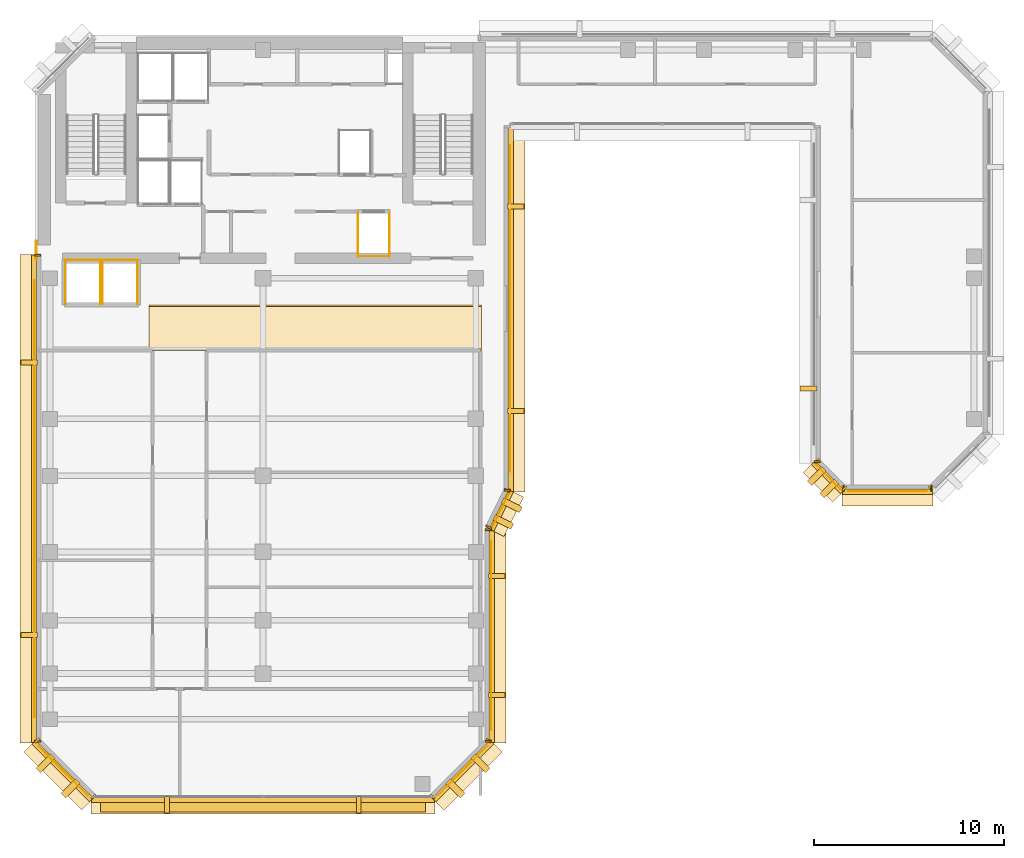
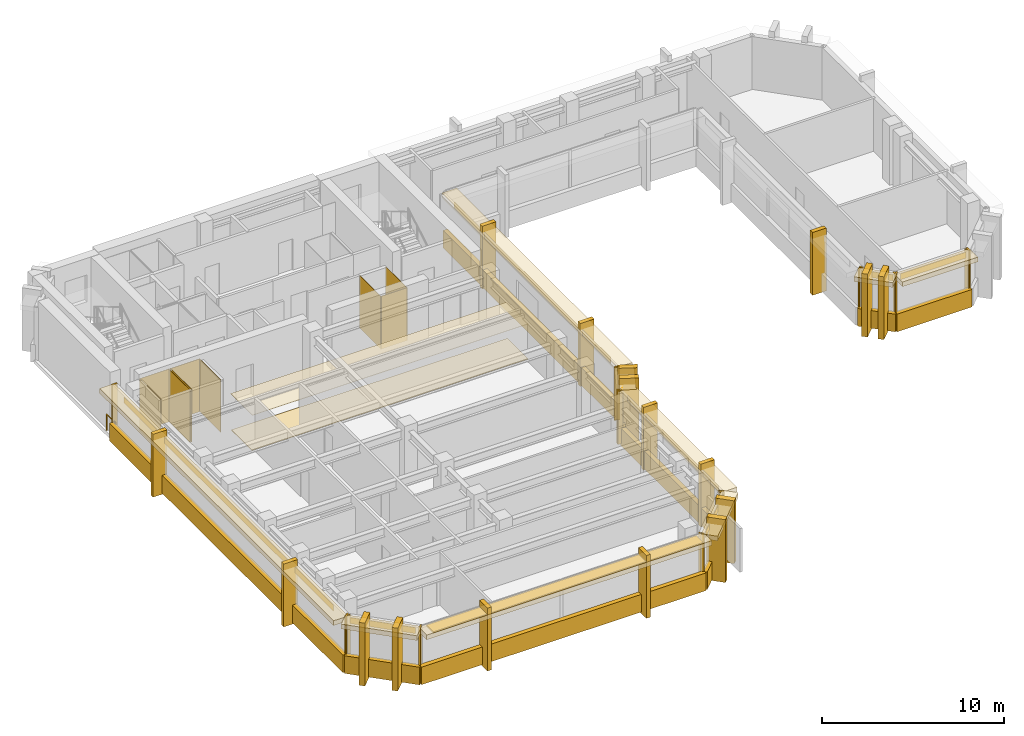
# One storey, part 8 of 11: 71 coverings, 1 railing, 1 shading device.
"""IFC4 building model written with IfcOpenShell, lengths in metres."""

from ifc_helpers import new_model, si_unit, direction, frame, origin, origin_2d, place, context, subcontext, project, spatial, polyline, rectangle, circle, outline, extrude, material, layer, layer_set, type_object, element, save


model = new_model("IFC4")

# Units and contexts
model_context = context("Model", 3, precision=1e-05, world=origin(), true_north=direction((0.0, 1.0)))
body_context = subcontext(model_context, "Body", "Model", "MODEL_VIEW")
ifc_project = project(units=[si_unit("LENGTHUNIT", "METRE"), si_unit("AREAUNIT", "SQUARE_METRE"), si_unit("VOLUMEUNIT", "CUBIC_METRE"), si_unit("PLANEANGLEUNIT", "RADIAN"), si_unit("MASSUNIT", "GRAM", prefix="KILO")], contexts=[model_context])

# Site, building, storey
site_placement = place(None, origin())
site = spatial("IfcSite", under=ifc_project, at=site_placement, CompositionType="ELEMENT")
building_placement = place(site_placement, origin())
building = spatial("IfcBuilding", under=site, at=building_placement, Name="Kefirva Bronze Tower", CompositionType="ELEMENT")
storey_placement = place(building_placement, frame((0.0, 0.0, 247.5)))
storey = spatial("IfcBuildingStorey", under=building, at=storey_placement, Name="L60", CompositionType="ELEMENT", Elevation=247.5)

# Coverings
ifc_material_1 = material(Name="Acoustic mineral tile")
ifc_layer_1 = layer(ifc_material_1, 0.02490234375, Name="Acoustic mineral tile")
ifc_layer_set_1 = layer_set([ifc_layer_1], Name="Acoustic mineral tile")
covering_type_1 = type_object("IfcCoveringType", Name="Acoustic Mineral Suspended Ceiling 25mm", PredefinedType="CEILING", material=ifc_layer_set_1)
covering_1_placement = place(storey_placement, frame((0.0, 0.0, 2.39990234375)))
element("IfcCovering", 1, at=covering_1_placement, inside=storey, type_object=covering_type_1, Name="L60 Corridor Acoustic Ceiling", PredefinedType="CEILING", context=body_context, shape_type="SweptSolid", body=[
    extrude(outline(polyline([(6.0, 29.39990234375), (23.5, 29.39990234375), (23.5, 31.800048828125), (6.0, 31.800048828125), (6.0, 29.39990234375)])), origin(), (0.0, 0.0, 1.0), 0.025146484375),
])
ifc_material_2 = material(Name="Bronze anodised aluminium", Category="aluminium")
ifc_layer_2 = layer(ifc_material_2, 0.02001953125, Name="Bronze anodised aluminium")
ifc_layer_set_2 = layer_set([ifc_layer_2], Name="Bronze anodised aluminium")
covering_type_2 = type_object("IfcCoveringType", Name="Anodised Bronze Spandrel Cladding 20mm", PredefinedType="CLADDING", material=ifc_layer_set_2)
covering_2_placement = place(storey_placement, frame((12.0, 5.760009765625, -0.16015625), z_axis=(0.0, 0.0, 1.0), x_axis=(1.0, 0.0, 0.0)))
element("IfcCovering", 2, at=covering_2_placement, inside=storey, type_object=covering_type_2, Name="L60 Streamline Horizontal Spandrel Band 0", PredefinedType="CLADDING", context=body_context, shape_type="SweptSolid", body=[
    extrude(rectangle(XDim=18.0400390625, YDim=0.280029296875, at=origin_2d()), origin(), (0.0, 0.0, 1.0), 1.179931640625),
])
covering_3_placement = place(storey_placement, frame((22.507080078125, 7.29296875, 3.1201171875), z_axis=(0.0, 0.0, 1.0), x_axis=(0.707106781187, 0.707106781187, 0.0)))
element("IfcCovering", 3, at=covering_3_placement, inside=storey, type_object=covering_type_2, Name="L60 Bronze Spandrel Cladding 1", PredefinedType="CLADDING", context=body_context, shape_type="SweptSolid", body=[
    extrude(rectangle(XDim=3.719482421875, YDim=0.02001953125, at=origin_2d()), origin(), (0.0, 0.0, 1.0), 0.39990234375),
])
for number, where, z_axis, x_axis, name in (
    (4, (20.91162109375, 5.93798828125, 0.0), (0.0, 0.0, 1.0), (0.707106781187, 0.707106781187, 0.0), "L60 Facade Joint Closure Panel 1S"),
    (5, (23.862060546875, 8.88818359375, 0.0), (0.0, 0.0, 1.0), (0.707106781187, 0.707106781187, 0.0), "L60 Facade Joint Closure Panel 1E"),
):
    element("IfcCovering", number, at=place(storey_placement, frame(where, z_axis=z_axis, x_axis=x_axis)), inside=storey, type_object=covering_type_2, Name=name, PredefinedType="CLADDING", context=body_context, shape_type="SweptSolid", body=[
        extrude(rectangle(XDim=0.10009765625, YDim=0.320068359375, at=origin_2d()), origin(), (0.0, 0.0, 1.0), 3.5400390625),
    ])
covering_4_placement = place(storey_placement, frame((22.5283203125, 7.271728515625, -0.16015625), z_axis=(0.0, 0.0, 1.0), x_axis=(0.707106781187, 0.707106781187, 0.0)))
element("IfcCovering", 6, at=covering_4_placement, inside=storey, type_object=covering_type_2, Name="L60 Streamline Horizontal Spandrel Band 1", PredefinedType="CLADDING", context=body_context, shape_type="SweptSolid", body=[
    extrude(rectangle(XDim=4.28271484375, YDim=0.280029296875, at=origin_2d()), origin(), (0.0, 0.0, 1.0), 1.179931640625),
])
covering_5_placement = place(storey_placement, frame((24.010009765625, 14.39990234375, 3.1201171875), z_axis=(0.0, 0.0, 1.0), x_axis=(0.0, 1.0, 0.0)))
element("IfcCovering", 7, at=covering_5_placement, inside=storey, type_object=covering_type_2, Name="L60 Bronze Spandrel Cladding 2", PredefinedType="CLADDING", context=body_context, shape_type="SweptSolid", body=[
    extrude(rectangle(XDim=9.98095703125, YDim=0.02001953125, at=origin_2d()), origin(), (0.0, 0.0, 1.0), 0.39990234375),
])
for number, where, z_axis, x_axis, name in (
    (8, (23.840087890625, 8.8349609375, 0.0), (0.0, 0.0, 1.0), (0.0, 1.0, 0.0), "L60 Facade Joint Closure Panel 2S"),
    (9, (23.840087890625, 19.965087890625, 0.0), (0.0, 0.0, 1.0), (0.0, 1.0, 0.0), "L60 Facade Joint Closure Panel 2E"),
):
    element("IfcCovering", number, at=place(storey_placement, frame(where, z_axis=z_axis, x_axis=x_axis)), inside=storey, type_object=covering_type_2, Name=name, PredefinedType="CLADDING", context=body_context, shape_type="SweptSolid", body=[
        extrude(rectangle(XDim=0.10009765625, YDim=0.320068359375, at=origin_2d()), origin(), (0.0, 0.0, 1.0), 3.5400390625),
    ])
covering_6_placement = place(storey_placement, frame((24.0400390625, 14.39990234375, -0.16015625), z_axis=(0.0, 0.0, 1.0), x_axis=(0.0, 1.0, 0.0)))
element("IfcCovering", 10, at=covering_6_placement, inside=storey, type_object=covering_type_2, Name="L60 Streamline Horizontal Spandrel Band 2", PredefinedType="CLADDING", context=body_context, shape_type="SweptSolid", body=[
    extrude(rectangle(XDim=11.239990234375, YDim=0.280029296875, at=origin_2d()), origin(), (0.0, 0.0, 1.0), 1.179931640625),
])
covering_7_placement = place(storey_placement, frame((24.5087890625, 20.99560546875, 3.1201171875), z_axis=(0.0, 0.0, 1.0), x_axis=(0.44721435766, 0.89442680992, 0.0)))
element("IfcCovering", 11, at=covering_7_placement, inside=storey, type_object=covering_type_2, Name="L60 Bronze Spandrel Cladding 3", PredefinedType="CLADDING", context=body_context, shape_type="SweptSolid", body=[
    extrude(rectangle(XDim=1.91357421875, YDim=0.02001953125, at=origin_2d()), origin(), (0.0, 0.0, 1.0), 0.39990234375),
])
for number, where, z_axis, x_axis, name in (
    (12, (23.87255859375, 20.102783203125, 0.0), (0.0, 0.0, 1.0), (0.44721435766, 0.89442680992, 0.0), "L60 Facade Joint Closure Panel 3S"),
    (13, (24.84130859375, 22.040283203125, 0.0), (0.0, 0.0, 1.0), (0.44721435766, 0.89442680992, 0.0), "L60 Facade Joint Closure Panel 3E"),
):
    element("IfcCovering", number, at=place(storey_placement, frame(where, z_axis=z_axis, x_axis=x_axis)), inside=storey, type_object=covering_type_2, Name=name, PredefinedType="CLADDING", context=body_context, shape_type="SweptSolid", body=[
        extrude(rectangle(XDim=0.10009765625, YDim=0.320068359375, at=origin_2d()), origin(), (0.0, 0.0, 1.0), 3.5400390625),
    ])
covering_8_placement = place(storey_placement, frame((24.535888671875, 20.982177734375, -0.16015625), z_axis=(0.0, 0.0, 1.0), x_axis=(0.44721435766, 0.89442680992, 0.0)))
element("IfcCovering", 14, at=covering_8_placement, inside=storey, type_object=covering_type_2, Name="L60 Streamline Horizontal Spandrel Band 3", PredefinedType="CLADDING", context=body_context, shape_type="SweptSolid", body=[
    extrude(rectangle(XDim=2.276123046875, YDim=0.280029296875, at=origin_2d()), origin(), (0.0, 0.0, 1.0), 1.179931640625),
])
covering_9_placement = place(storey_placement, frame((25.010009765625, 31.60009765625, 3.1201171875), z_axis=(0.0, 0.0, 1.0), x_axis=(0.0, 1.0, 0.0)))
element("IfcCovering", 15, at=covering_9_placement, inside=storey, type_object=covering_type_2, Name="L60 Bronze Spandrel Cladding 4", PredefinedType="CLADDING", context=body_context, shape_type="SweptSolid", body=[
    extrude(rectangle(XDim=17.180908203125, YDim=0.02001953125, at=origin_2d()), origin(), (0.0, 0.0, 1.0), 0.39990234375),
])
covering_10_placement = place(storey_placement, frame((24.840087890625, 22.034912109375, 0.0), z_axis=(0.0, 0.0, 1.0), x_axis=(0.0, 1.0, 0.0)))
element("IfcCovering", 16, at=covering_10_placement, inside=storey, type_object=covering_type_2, Name="L60 Facade Joint Closure Panel 4S", PredefinedType="CLADDING", context=body_context, shape_type="SweptSolid", body=[
    extrude(rectangle(XDim=0.10009765625, YDim=0.320068359375, at=origin_2d()), origin(), (0.0, 0.0, 1.0), 3.5400390625),
])
covering_11_placement = place(storey_placement, frame((25.0400390625, 31.60009765625, -0.16015625), z_axis=(0.0, 0.0, 1.0), x_axis=(0.0, 1.0, 0.0)))
element("IfcCovering", 17, at=covering_11_placement, inside=storey, type_object=covering_type_2, Name="L60 Streamline Horizontal Spandrel Band 5", PredefinedType="CLADDING", context=body_context, shape_type="SweptSolid", body=[
    extrude(rectangle(XDim=19.239990234375, YDim=0.280029296875, at=origin_2d()), origin(), (0.0, 0.0, 1.0), 1.179931640625),
])
covering_12_placement = place(storey_placement, frame((41.159912109375, 23.534912109375, 0.0), z_axis=(0.0, 0.0, 1.0), x_axis=(0.0, -1.0, 0.0)))
element("IfcCovering", 18, at=covering_12_placement, inside=storey, type_object=covering_type_2, Name="L60 Facade Joint Closure Panel 5E", PredefinedType="CLADDING", context=body_context, shape_type="SweptSolid", body=[
    extrude(rectangle(XDim=0.10009765625, YDim=0.320068359375, at=origin_2d()), origin(), (0.0, 0.0, 1.0), 3.5400390625),
])
covering_13_placement = place(storey_placement, frame((41.742919921875, 22.742919921875, 3.1201171875), z_axis=(0.0, 0.0, 1.0), x_axis=(0.707106781187, -0.707106781187, 0.0)))
element("IfcCovering", 19, at=covering_13_placement, inside=storey, type_object=covering_type_2, Name="L60 Bronze Spandrel Cladding 6", PredefinedType="CLADDING", context=body_context, shape_type="SweptSolid", body=[
    extrude(rectangle(XDim=1.810302734375, YDim=0.02001953125, at=origin_2d()), origin(), (0.0, 0.0, 1.0), 0.39990234375),
])
for number, where, z_axis, x_axis, name in (
    (20, (41.137939453125, 23.58837890625, 0.0), (0.0, 0.0, 1.0), (0.707106781187, -0.707106781187, 0.0), "L60 Facade Joint Closure Panel 6S"),
    (21, (42.58837890625, 22.137939453125, 0.0), (0.0, 0.0, 1.0), (0.707106781187, -0.707106781187, 0.0), "L60 Facade Joint Closure Panel 6E"),
):
    element("IfcCovering", number, at=place(storey_placement, frame(where, z_axis=z_axis, x_axis=x_axis)), inside=storey, type_object=covering_type_2, Name=name, PredefinedType="CLADDING", context=body_context, shape_type="SweptSolid", body=[
        extrude(rectangle(XDim=0.10009765625, YDim=0.320068359375, at=origin_2d()), origin(), (0.0, 0.0, 1.0), 3.5400390625),
    ])
covering_14_placement = place(storey_placement, frame((41.7216796875, 22.7216796875, -0.16015625), z_axis=(0.0, 0.0, 1.0), x_axis=(0.707106781187, -0.707106781187, 0.0)))
element("IfcCovering", 22, at=covering_14_placement, inside=storey, type_object=covering_type_2, Name="L60 Streamline Horizontal Spandrel Band 8", PredefinedType="CLADDING", context=body_context, shape_type="SweptSolid", body=[
    extrude(rectangle(XDim=2.161376953125, YDim=0.280029296875, at=origin_2d()), origin(), (0.0, 0.0, 1.0), 1.179931640625),
])
covering_15_placement = place(storey_placement, frame((44.85009765625, 21.989990234375, 3.1201171875), z_axis=(0.0, 0.0, 1.0), x_axis=(1.0, 0.0, 0.0)))
element("IfcCovering", 23, at=covering_15_placement, inside=storey, type_object=covering_type_2, Name="L60 Bronze Spandrel Cladding 7", PredefinedType="CLADDING", context=body_context, shape_type="SweptSolid", body=[
    extrude(rectangle(XDim=4.131103515625, YDim=0.02001953125, at=origin_2d()), origin(), (0.0, 0.0, 1.0), 0.39990234375),
])
for number, where, z_axis, x_axis, name in (
    (24, (42.534912109375, 22.159912109375, 0.0), (0.0, 0.0, 1.0), (1.0, 0.0, 0.0), "L60 Facade Joint Closure Panel 7S"),
    (25, (47.1650390625, 22.159912109375, 0.0), (0.0, 0.0, 1.0), (1.0, 0.0, 0.0), "L60 Facade Joint Closure Panel 7E"),
):
    element("IfcCovering", number, at=place(storey_placement, frame(where, z_axis=z_axis, x_axis=x_axis)), inside=storey, type_object=covering_type_2, Name=name, PredefinedType="CLADDING", context=body_context, shape_type="SweptSolid", body=[
        extrude(rectangle(XDim=0.10009765625, YDim=0.320068359375, at=origin_2d()), origin(), (0.0, 0.0, 1.0), 3.5400390625),
    ])
covering_16_placement = place(storey_placement, frame((44.85009765625, 21.9599609375, -0.16015625), z_axis=(0.0, 0.0, 1.0), x_axis=(1.0, 0.0, 0.0)))
element("IfcCovering", 26, at=covering_16_placement, inside=storey, type_object=covering_type_2, Name="L60 Streamline Horizontal Spandrel Band 9", PredefinedType="CLADDING", context=body_context, shape_type="SweptSolid", body=[
    extrude(rectangle(XDim=4.739990234375, YDim=0.280029296875, at=origin_2d()), origin(), (0.0, 0.0, 1.0), 1.179931640625),
])
covering_17_placement = place(storey_placement, frame((47.11181640625, 22.137939453125, 0.0), z_axis=(0.0, 0.0, 1.0), x_axis=(0.707106781187, 0.707106781187, 0.0)))
element("IfcCovering", 27, at=covering_17_placement, inside=storey, type_object=covering_type_2, Name="L60 Facade Joint Closure Panel 8S", PredefinedType="CLADDING", context=body_context, shape_type="SweptSolid", body=[
    extrude(rectangle(XDim=0.10009765625, YDim=0.320068359375, at=origin_2d()), origin(), (0.0, 0.0, 1.0), 3.5400390625),
])
covering_18_placement = place(storey_placement, frame((-0.010009765625, 21.597412109375, 3.1201171875), z_axis=(0.0, 0.0, 1.0), x_axis=(0.0, -1.0, 0.0)))
element("IfcCovering", 28, at=covering_18_placement, inside=storey, type_object=covering_type_2, Name="L60 Bronze Spandrel Cladding 13", PredefinedType="CLADDING", context=body_context, shape_type="SweptSolid", body=[
    extrude(rectangle(XDim=22.986083984375, YDim=0.02001953125, at=origin_2d()), origin(), (0.0, 0.0, 1.0), 0.39990234375),
])
for number, where, z_axis, x_axis, name in (
    (29, (0.159912109375, 34.4150390625, 0.0), (0.0, 0.0, 1.0), (0.0, -1.0, 0.0), "L60 Facade Joint Closure Panel 13S"),
    (30, (0.159912109375, 8.8349609375, 0.0), (0.0, 0.0, 1.0), (0.0, -1.0, 0.0), "L60 Facade Joint Closure Panel 13E"),
):
    element("IfcCovering", number, at=place(storey_placement, frame(where, z_axis=z_axis, x_axis=x_axis)), inside=storey, type_object=covering_type_2, Name=name, PredefinedType="CLADDING", context=body_context, shape_type="SweptSolid", body=[
        extrude(rectangle(XDim=0.10009765625, YDim=0.320068359375, at=origin_2d()), origin(), (0.0, 0.0, 1.0), 3.5400390625),
    ])
covering_19_placement = place(storey_placement, frame((-0.0400390625, 21.597412109375, -0.16015625), z_axis=(0.0, 0.0, 1.0), x_axis=(0.0, -1.0, 0.0)))
element("IfcCovering", 31, at=covering_19_placement, inside=storey, type_object=covering_type_2, Name="L60 Streamline Horizontal Spandrel Band 15", PredefinedType="CLADDING", context=body_context, shape_type="SweptSolid", body=[
    extrude(rectangle(XDim=25.635009765625, YDim=0.280029296875, at=origin_2d()), origin(), (0.0, 0.0, 1.0), 1.179931640625),
])
covering_20_placement = place(storey_placement, frame((1.492919921875, 7.29296875, 3.1201171875), z_axis=(0.0, 0.0, 1.0), x_axis=(0.707106781187, -0.707106781187, 0.0)))
element("IfcCovering", 32, at=covering_20_placement, inside=storey, type_object=covering_type_2, Name="L60 Bronze Spandrel Cladding 14", PredefinedType="CLADDING", context=body_context, shape_type="SweptSolid", body=[
    extrude(rectangle(XDim=3.719482421875, YDim=0.02001953125, at=origin_2d()), origin(), (0.0, 0.0, 1.0), 0.39990234375),
])
for number, where, z_axis, x_axis, name in (
    (33, (0.137939453125, 8.88818359375, 0.0), (0.0, 0.0, 1.0), (0.707106781187, -0.707106781187, 0.0), "L60 Facade Joint Closure Panel 14S"),
    (34, (3.08837890625, 5.93798828125, 0.0), (0.0, 0.0, 1.0), (0.707106781187, -0.707106781187, 0.0), "L60 Facade Joint Closure Panel 14E"),
):
    element("IfcCovering", number, at=place(storey_placement, frame(where, z_axis=z_axis, x_axis=x_axis)), inside=storey, type_object=covering_type_2, Name=name, PredefinedType="CLADDING", context=body_context, shape_type="SweptSolid", body=[
        extrude(rectangle(XDim=0.10009765625, YDim=0.320068359375, at=origin_2d()), origin(), (0.0, 0.0, 1.0), 3.5400390625),
    ])
covering_21_placement = place(storey_placement, frame((1.4716796875, 7.271728515625, -0.16015625), z_axis=(0.0, 0.0, 1.0), x_axis=(0.707106781187, -0.707106781187, 0.0)))
element("IfcCovering", 35, at=covering_21_placement, inside=storey, type_object=covering_type_2, Name="L60 Streamline Horizontal Spandrel Band 16", PredefinedType="CLADDING", context=body_context, shape_type="SweptSolid", body=[
    extrude(rectangle(XDim=4.28271484375, YDim=0.280029296875, at=origin_2d()), origin(), (0.0, 0.0, 1.0), 1.179931640625),
])
covering_22_placement = place(storey_placement, origin())
element("IfcCovering", 36, at=covering_22_placement, inside=storey, type_object=covering_type_2, Name="L60 Lift OB1 Hoistway Liner N", PredefinedType="CLADDING", context=body_context, shape_type="SweptSolid", body=[
    extrude(outline(polyline([(1.580078125, 34.139892578125), (3.469970703125, 34.139892578125), (3.469970703125, 34.159912109375), (1.580078125, 34.159912109375), (1.580078125, 34.139892578125)])), origin(), (0.0, 0.0, 1.0), 3.5400390625),
])
covering_23_placement = place(storey_placement, origin())
element("IfcCovering", 37, at=covering_23_placement, inside=storey, type_object=covering_type_2, Name="L60 Lift OB1 Hoistway Liner W", PredefinedType="CLADDING", context=body_context, shape_type="SweptSolid", body=[
    extrude(outline(polyline([(1.590087890625, 31.830078125), (1.610107421875, 31.830078125), (1.610107421875, 34.169921875), (1.590087890625, 34.169921875), (1.590087890625, 31.830078125)])), origin(), (0.0, 0.0, 1.0), 3.5400390625),
])
covering_24_placement = place(storey_placement, origin())
element("IfcCovering", 38, at=covering_24_placement, inside=storey, type_object=covering_type_2, Name="L60 Lift OB1 Hoistway Liner E", PredefinedType="CLADDING", context=body_context, shape_type="SweptSolid", body=[
    extrude(outline(polyline([(3.43994140625, 31.830078125), (3.4599609375, 31.830078125), (3.4599609375, 34.169921875), (3.43994140625, 34.169921875), (3.43994140625, 31.830078125)])), origin(), (0.0, 0.0, 1.0), 3.5400390625),
])
covering_25_placement = place(storey_placement, origin())
element("IfcCovering", 39, at=covering_25_placement, inside=storey, type_object=covering_type_2, Name="L60 Lift OB2 Hoistway Liner N", PredefinedType="CLADDING", context=body_context, shape_type="SweptSolid", body=[
    extrude(outline(polyline([(3.530029296875, 34.139892578125), (5.419921875, 34.139892578125), (5.419921875, 34.159912109375), (3.530029296875, 34.159912109375), (3.530029296875, 34.139892578125)])), origin(), (0.0, 0.0, 1.0), 3.5400390625),
])
covering_26_placement = place(storey_placement, origin())
element("IfcCovering", 40, at=covering_26_placement, inside=storey, type_object=covering_type_2, Name="L60 Lift OB2 Hoistway Liner W", PredefinedType="CLADDING", context=body_context, shape_type="SweptSolid", body=[
    extrude(outline(polyline([(3.5400390625, 31.830078125), (3.56005859375, 31.830078125), (3.56005859375, 34.169921875), (3.5400390625, 34.169921875), (3.5400390625, 31.830078125)])), origin(), (0.0, 0.0, 1.0), 3.5400390625),
])
covering_27_placement = place(storey_placement, origin())
element("IfcCovering", 41, at=covering_27_placement, inside=storey, type_object=covering_type_2, Name="L60 Lift OB2 Hoistway Liner E", PredefinedType="CLADDING", context=body_context, shape_type="SweptSolid", body=[
    extrude(outline(polyline([(5.389892578125, 31.830078125), (5.409912109375, 31.830078125), (5.409912109375, 34.169921875), (5.389892578125, 34.169921875), (5.389892578125, 31.830078125)])), origin(), (0.0, 0.0, 1.0), 3.5400390625),
])
covering_28_placement = place(storey_placement, origin())
element("IfcCovering", 42, at=covering_28_placement, inside=storey, type_object=covering_type_2, Name="L60 Lift HP1 Hoistway Liner S", PredefinedType="CLADDING", context=body_context, shape_type="SweptSolid", body=[
    extrude(outline(polyline([(16.97998046875, 34.340087890625), (18.669921875, 34.340087890625), (18.669921875, 34.360107421875), (16.97998046875, 34.360107421875), (16.97998046875, 34.340087890625)])), origin(), (0.0, 0.0, 1.0), 3.5400390625),
])
covering_29_placement = place(storey_placement, origin())
element("IfcCovering", 43, at=covering_29_placement, inside=storey, type_object=covering_type_2, Name="L60 Lift HP1 Hoistway Liner W", PredefinedType="CLADDING", context=body_context, shape_type="SweptSolid", body=[
    extrude(outline(polyline([(16.989990234375, 34.330078125), (17.010009765625, 34.330078125), (17.010009765625, 36.669921875), (16.989990234375, 36.669921875), (16.989990234375, 34.330078125)])), origin(), (0.0, 0.0, 1.0), 3.5400390625),
])
covering_30_placement = place(storey_placement, origin())
element("IfcCovering", 44, at=covering_30_placement, inside=storey, type_object=covering_type_2, Name="L60 Lift HP1 Hoistway Liner E", PredefinedType="CLADDING", context=body_context, shape_type="SweptSolid", body=[
    extrude(outline(polyline([(18.639892578125, 34.330078125), (18.659912109375, 34.330078125), (18.659912109375, 36.669921875), (18.639892578125, 36.669921875), (18.639892578125, 34.330078125)])), origin(), (0.0, 0.0, 1.0), 3.5400390625),
])

# Shading device
ifc_layer_3 = layer(ifc_material_2, 0.090087890625, Name="Bronze anodised aluminium")
ifc_layer_set_3 = layer_set([ifc_layer_3], Name="Bronze anodised aluminium")
shading_device_type = type_object("IfcShadingDeviceType", Name="Horizontal Bronze Sunshade Band 750mm", PredefinedType="JALOUSIE", material=ifc_layer_set_3)
shading_device_placement = place(storey_placement, frame((12.0, 5.5048828125, 3.43505859375), z_axis=(0.0, 0.0, 1.0), x_axis=(1.0, 0.0, 0.0)))
element("IfcShadingDevice", 45, at=shading_device_placement, inside=storey, type_object=shading_device_type, Name="L60 Horizontal Bronze Sunshade Band 0", PredefinedType="JALOUSIE", context=body_context, shape_type="SweptSolid", body=[
    extrude(rectangle(XDim=17.090087890625, YDim=0.75, at=origin_2d()), origin(), (0.0, 0.0, 1.0), 0.090087890625),
])

# Railing
ifc_material_3 = material(Name="Stainless steel 316", Category="steel")
railing_type = type_object("IfcRailingType", Name="Interior Stair Guardrail 1100mm", PredefinedType="GUARDRAIL", material=ifc_material_3)
railing_placement = place(storey_placement, frame((0.080078125, 34.199951171875, 0.0)))
element("IfcRailing", 46, at=railing_placement, inside=storey, type_object=railing_type, Name="L60 West Core Junction Guardrail", PredefinedType="GUARDRAIL", context=body_context, shape_type="SweptSolid", body=[
    extrude(circle(Radius=0.02392578125, at=origin_2d()), frame((0.0, 0.0, 1.076171875), z_axis=(0.0, 1.0, 0.0), x_axis=(-1.0, 0.0, 0.0)), (0.0, 0.0, 1.0), 0.949951171875),
    extrude(circle(Radius=0.02099609375, at=origin_2d()), origin(), (0.0, 0.0, 1.0), 1.052001953125),
    extrude(circle(Radius=0.02099609375, at=origin_2d()), frame((0.0, 0.949951171875, 0.0)), (0.0, 0.0, 1.0), 1.052001953125),
])

# Coverings
ifc_material_4 = material(Name="Calcium sulphate access tile")
ifc_layer_4 = layer(ifc_material_4, 0.044921875, Name="Calcium sulphate access tile")
ifc_layer_set_4 = layer_set([ifc_layer_4], Name="Calcium sulphate access tile")
covering_type_3 = type_object("IfcCoveringType", Name="Raised Access Office Flooring 45mm", PredefinedType="FLOORING", material=ifc_layer_set_4)
covering_31_placement = place(storey_placement, origin())
element("IfcCovering", 47, at=covering_31_placement, inside=storey, type_object=covering_type_3, Name="L60 Architectural Finish Flooring", PredefinedType="FLOORING", context=body_context, shape_type="SweptSolid", body=[
    extrude(outline(polyline([(6.0, 29.47998046875), (23.5, 29.47998046875), (23.5, 31.719970703125), (6.0, 31.719970703125), (6.0, 29.47998046875)])), origin(), (0.0, 0.0, 1.0), 0.044921875),
])
ifc_layer_5 = layer(ifc_material_2, 0.179931640625, Name="Bronze anodised aluminium")
ifc_layer_set_5 = layer_set([ifc_layer_5], Name="Bronze anodised aluminium")
covering_type_4 = type_object("IfcCoveringType", Name="Streamline Bronze Sunshade Eyebrow Cladding 180mm", PredefinedType="CLADDING", material=ifc_layer_set_5)
covering_32_placement = place(storey_placement, frame((12.0, 5.489990234375, 3.2197265625), z_axis=(0.0, 0.0, 1.0), x_axis=(1.0, 0.0, 0.0)))
element("IfcCovering", 48, at=covering_32_placement, inside=storey, type_object=covering_type_4, Name="L60 Streamline Bronze Sunshade Eyebrow 0", PredefinedType="CLADDING", context=body_context, shape_type="SweptSolid", body=[
    extrude(rectangle(XDim=18.080078125, YDim=0.93994140625, at=origin_2d()), origin(), (0.0, 0.0, 1.0), 0.320068359375),
])
covering_33_placement = place(storey_placement, frame((22.71923828125, 7.080810546875, 3.2197265625), z_axis=(0.0, 0.0, 1.0), x_axis=(0.707106781187, 0.707106781187, 0.0)))
element("IfcCovering", 49, at=covering_33_placement, inside=storey, type_object=covering_type_4, Name="L60 Streamline Bronze Sunshade Eyebrow 1", PredefinedType="CLADDING", context=body_context, shape_type="SweptSolid", body=[
    extrude(rectangle(XDim=4.322509765625, YDim=0.93994140625, at=origin_2d()), origin(), (0.0, 0.0, 1.0), 0.320068359375),
])
covering_34_placement = place(storey_placement, frame((24.31005859375, 14.39990234375, 3.2197265625), z_axis=(0.0, 0.0, 1.0), x_axis=(0.0, 1.0, 0.0)))
element("IfcCovering", 50, at=covering_34_placement, inside=storey, type_object=covering_type_4, Name="L60 Streamline Bronze Sunshade Eyebrow 2", PredefinedType="CLADDING", context=body_context, shape_type="SweptSolid", body=[
    extrude(rectangle(XDim=11.280029296875, YDim=0.93994140625, at=origin_2d()), origin(), (0.0, 0.0, 1.0), 0.320068359375),
])
covering_35_placement = place(storey_placement, frame((24.77734375, 20.861328125, 3.2197265625), z_axis=(0.0, 0.0, 1.0), x_axis=(0.44721435766, 0.89442680992, 0.0)))
element("IfcCovering", 51, at=covering_35_placement, inside=storey, type_object=covering_type_4, Name="L60 Streamline Bronze Sunshade Eyebrow 3", PredefinedType="CLADDING", context=body_context, shape_type="SweptSolid", body=[
    extrude(rectangle(XDim=2.316162109375, YDim=0.93994140625, at=origin_2d()), origin(), (0.0, 0.0, 1.0), 0.320068359375),
])
covering_36_placement = place(storey_placement, frame((25.31005859375, 31.60009765625, 3.2197265625), z_axis=(0.0, 0.0, 1.0), x_axis=(0.0, 1.0, 0.0)))
element("IfcCovering", 52, at=covering_36_placement, inside=storey, type_object=covering_type_4, Name="L60 Streamline Bronze Sunshade Eyebrow 5", PredefinedType="CLADDING", context=body_context, shape_type="SweptSolid", body=[
    extrude(rectangle(XDim=19.280029296875, YDim=0.93994140625, at=origin_2d()), origin(), (0.0, 0.0, 1.0), 0.320068359375),
])
covering_37_placement = place(storey_placement, frame((41.53076171875, 22.53076171875, 3.2197265625), z_axis=(0.0, 0.0, 1.0), x_axis=(0.707106781187, -0.707106781187, 0.0)))
element("IfcCovering", 53, at=covering_37_placement, inside=storey, type_object=covering_type_4, Name="L60 Streamline Bronze Sunshade Eyebrow 8", PredefinedType="CLADDING", context=body_context, shape_type="SweptSolid", body=[
    extrude(rectangle(XDim=2.201416015625, YDim=0.93994140625, at=origin_2d()), origin(), (0.0, 0.0, 1.0), 0.320068359375),
])
covering_38_placement = place(storey_placement, frame((44.85009765625, 21.68994140625, 3.2197265625), z_axis=(0.0, 0.0, 1.0), x_axis=(1.0, 0.0, 0.0)))
element("IfcCovering", 54, at=covering_38_placement, inside=storey, type_object=covering_type_4, Name="L60 Streamline Bronze Sunshade Eyebrow 9", PredefinedType="CLADDING", context=body_context, shape_type="SweptSolid", body=[
    extrude(rectangle(XDim=4.780029296875, YDim=0.93994140625, at=origin_2d()), origin(), (0.0, 0.0, 1.0), 0.320068359375),
])
covering_39_placement = place(storey_placement, frame((-0.31005859375, 21.597412109375, 3.2197265625), z_axis=(0.0, 0.0, 1.0), x_axis=(0.0, -1.0, 0.0)))
element("IfcCovering", 55, at=covering_39_placement, inside=storey, type_object=covering_type_4, Name="L60 Streamline Bronze Sunshade Eyebrow 15", PredefinedType="CLADDING", context=body_context, shape_type="SweptSolid", body=[
    extrude(rectangle(XDim=25.675048828125, YDim=0.93994140625, at=origin_2d()), origin(), (0.0, 0.0, 1.0), 0.320068359375),
])
covering_40_placement = place(storey_placement, frame((1.28076171875, 7.080810546875, 3.2197265625), z_axis=(0.0, 0.0, 1.0), x_axis=(0.707106781187, -0.707106781187, 0.0)))
element("IfcCovering", 56, at=covering_40_placement, inside=storey, type_object=covering_type_4, Name="L60 Streamline Bronze Sunshade Eyebrow 16", PredefinedType="CLADDING", context=body_context, shape_type="SweptSolid", body=[
    extrude(rectangle(XDim=4.322509765625, YDim=0.93994140625, at=origin_2d()), origin(), (0.0, 0.0, 1.0), 0.320068359375),
])
ifc_layer_6 = layer(ifc_material_2, 0.260009765625, Name="Bronze anodised aluminium")
ifc_layer_set_6 = layer_set([ifc_layer_6], Name="Bronze anodised aluminium")
covering_type_5 = type_object("IfcCoveringType", Name="Unbroken Bronze Buttress Fin Cladding 260mm", PredefinedType="CLADDING", material=ifc_layer_set_6)
for number, where, z_axis, x_axis, name in (
    (57, (6.9599609375, 5.5, -0.25), (0.0, 0.0, 1.0), (1.0, 0.0, 0.0), "L60 Unbroken Vertical Bronze Rib Fin 1"),
    (58, (17.0400390625, 5.5, -0.25), (0.0, 0.0, 1.0), (1.0, 0.0, 0.0), "L60 Unbroken Vertical Bronze Rib Fin 2"),
):
    element("IfcCovering", number, at=place(storey_placement, frame(where, z_axis=z_axis, x_axis=x_axis)), inside=storey, type_object=covering_type_5, Name=name, PredefinedType="CLADDING", context=body_context, shape_type="SweptSolid", body=[
        extrude(rectangle(XDim=0.260009765625, YDim=0.8798828125, at=origin_2d()), origin(), (0.0, 0.0, 1.0), 4.2099609375),
    ])
for number, where, z_axis, x_axis, name in (
    (59, (22.122802734375, 6.357177734375, -0.25), (0.0, 0.0, 1.0), (0.707106781187, 0.707106781187, 0.0), "L60 Chamfered Corner Buttress Fin Cladding 3"),
    (60, (23.44287109375, 7.67724609375, -0.25), (0.0, 0.0, 1.0), (0.707106781187, 0.707106781187, 0.0), "L60 Chamfered Corner Buttress Fin Cladding 4"),
):
    element("IfcCovering", number, at=place(storey_placement, frame(where, z_axis=z_axis, x_axis=x_axis)), inside=storey, type_object=covering_type_5, Name=name, PredefinedType="CLADDING", context=body_context, shape_type="SweptSolid", body=[
        extrude(rectangle(XDim=0.340087890625, YDim=1.080078125, at=origin_2d()), origin(), (0.0, 0.0, 1.0), 4.2099609375),
    ])
for number, where, z_axis, x_axis, name in (
    (61, (24.300048828125, 11.263916015625, -0.25), (0.0, 0.0, 1.0), (0.0, 1.0, 0.0), "L60 Unbroken Vertical Bronze Rib Fin 5"),
    (62, (24.300048828125, 17.535888671875, -0.25), (0.0, 0.0, 1.0), (0.0, 1.0, 0.0), "L60 Unbroken Vertical Bronze Rib Fin 6"),
):
    element("IfcCovering", number, at=place(storey_placement, frame(where, z_axis=z_axis, x_axis=x_axis)), inside=storey, type_object=covering_type_5, Name=name, PredefinedType="CLADDING", context=body_context, shape_type="SweptSolid", body=[
        extrude(rectangle(XDim=0.260009765625, YDim=0.8798828125, at=origin_2d()), origin(), (0.0, 0.0, 1.0), 4.2099609375),
    ])
for number, where, z_axis, x_axis, name in (
    (63, (24.6376953125, 20.381103515625, -0.25), (0.0, 0.0, 1.0), (0.44721435766, 0.89442680992, 0.0), "L60 Chamfered Corner Buttress Fin Cladding 7"),
    (64, (25.077880859375, 21.260986328125, -0.25), (0.0, 0.0, 1.0), (0.44721435766, 0.89442680992, 0.0), "L60 Chamfered Corner Buttress Fin Cladding 8"),
):
    element("IfcCovering", number, at=place(storey_placement, frame(where, z_axis=z_axis, x_axis=x_axis)), inside=storey, type_object=covering_type_5, Name=name, PredefinedType="CLADDING", context=body_context, shape_type="SweptSolid", body=[
        extrude(rectangle(XDim=0.340087890625, YDim=1.080078125, at=origin_2d()), origin(), (0.0, 0.0, 1.0), 4.2099609375),
    ])
for number, where, z_axis, x_axis, name in (
    (65, (25.300048828125, 26.22412109375, -0.25), (0.0, 0.0, 1.0), (0.0, 1.0, 0.0), "L60 Unbroken Vertical Bronze Rib Fin 9"),
    (66, (25.300048828125, 36.97607421875, -0.25), (0.0, 0.0, 1.0), (0.0, 1.0, 0.0), "L60 Unbroken Vertical Bronze Rib Fin 10"),
    (67, (40.699951171875, 27.39404296875, -0.25), (0.0, 0.0, 1.0), (0.0, -1.0, 0.0), "L60 Unbroken Vertical Bronze Rib Fin 14"),
):
    element("IfcCovering", number, at=place(storey_placement, frame(where, z_axis=z_axis, x_axis=x_axis)), inside=storey, type_object=covering_type_5, Name=name, PredefinedType="CLADDING", context=body_context, shape_type="SweptSolid", body=[
        extrude(rectangle(XDim=0.260009765625, YDim=0.8798828125, at=origin_2d()), origin(), (0.0, 0.0, 1.0), 4.2099609375),
    ])
for number, where, z_axis, x_axis, name in (
    (68, (41.13720703125, 22.797119140625, -0.25), (0.0, 0.0, 1.0), (0.707106781187, -0.707106781187, 0.0), "L60 Chamfered Corner Buttress Fin Cladding 15"),
    (69, (41.797119140625, 22.13720703125, -0.25), (0.0, 0.0, 1.0), (0.707106781187, -0.707106781187, 0.0), "L60 Chamfered Corner Buttress Fin Cladding 16"),
):
    element("IfcCovering", number, at=place(storey_placement, frame(where, z_axis=z_axis, x_axis=x_axis)), inside=storey, type_object=covering_type_5, Name=name, PredefinedType="CLADDING", context=body_context, shape_type="SweptSolid", body=[
        extrude(rectangle(XDim=0.340087890625, YDim=1.080078125, at=origin_2d()), origin(), (0.0, 0.0, 1.0), 4.2099609375),
    ])
for number, where, z_axis, x_axis, name in (
    (70, (-0.300048828125, 28.76416015625, -0.25), (0.0, 0.0, 1.0), (0.0, -1.0, 0.0), "L60 Unbroken Vertical Bronze Rib Fin 27"),
    (71, (-0.300048828125, 14.430908203125, -0.25), (0.0, 0.0, 1.0), (0.0, -1.0, 0.0), "L60 Unbroken Vertical Bronze Rib Fin 28"),
):
    element("IfcCovering", number, at=place(storey_placement, frame(where, z_axis=z_axis, x_axis=x_axis)), inside=storey, type_object=covering_type_5, Name=name, PredefinedType="CLADDING", context=body_context, shape_type="SweptSolid", body=[
        extrude(rectangle(XDim=0.260009765625, YDim=0.8798828125, at=origin_2d()), origin(), (0.0, 0.0, 1.0), 4.2099609375),
    ])
for number, where, z_axis, x_axis, name in (
    (72, (0.55712890625, 7.67724609375, -0.25), (0.0, 0.0, 1.0), (0.707106781187, -0.707106781187, 0.0), "L60 Chamfered Corner Buttress Fin Cladding 29"),
    (73, (1.877197265625, 6.357177734375, -0.25), (0.0, 0.0, 1.0), (0.707106781187, -0.707106781187, 0.0), "L60 Chamfered Corner Buttress Fin Cladding 30"),
):
    element("IfcCovering", number, at=place(storey_placement, frame(where, z_axis=z_axis, x_axis=x_axis)), inside=storey, type_object=covering_type_5, Name=name, PredefinedType="CLADDING", context=body_context, shape_type="SweptSolid", body=[
        extrude(rectangle(XDim=0.340087890625, YDim=1.080078125, at=origin_2d()), origin(), (0.0, 0.0, 1.0), 4.2099609375),
    ])

save(model, "model.ifc")
